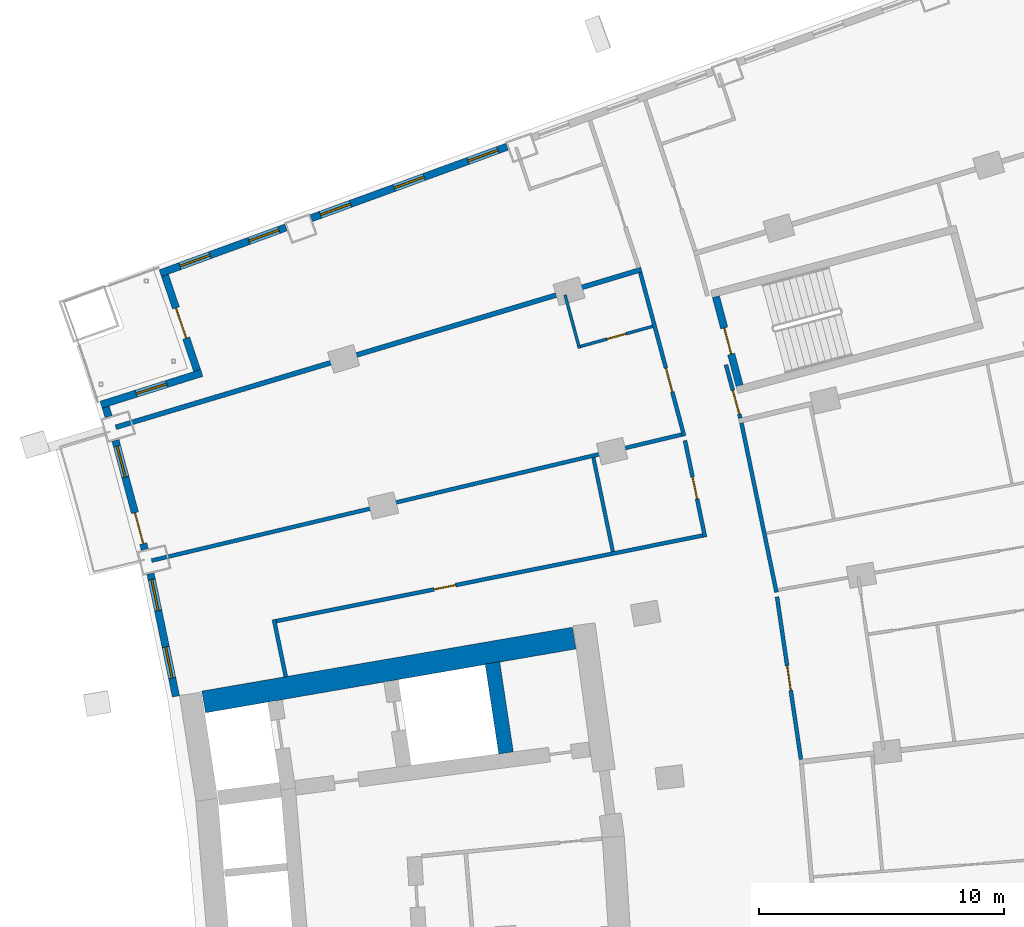
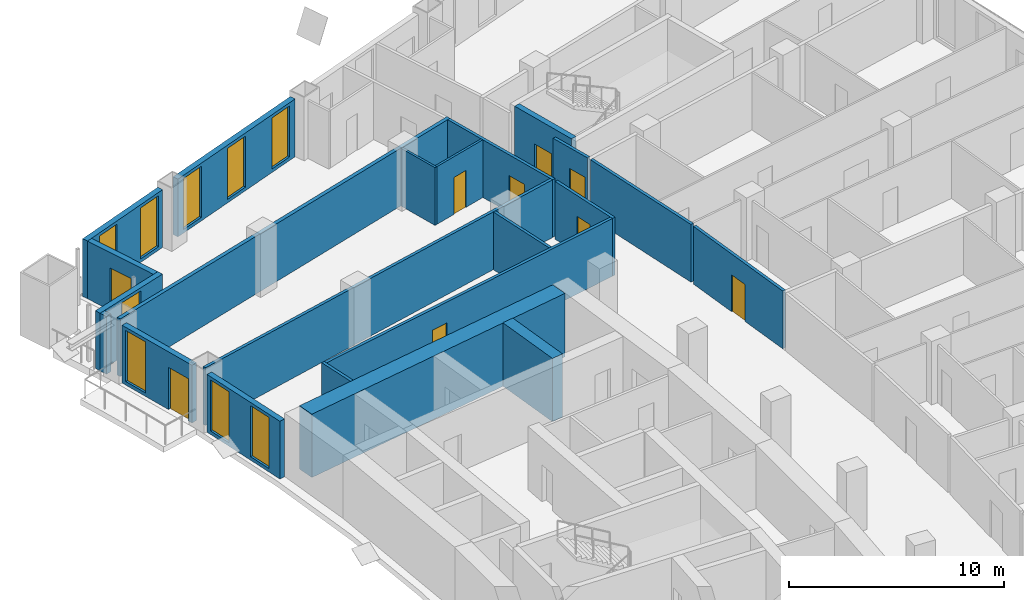
# One storey, part 19 of 25: 22 walls, 9 doors, 9 windows, 18 openings.
"""IFC4 building model written with IfcOpenShell, lengths in metres."""

from ifc_helpers import new_model, si_unit, direction, frame, frame_2d, origin, place, context, subcontext, project, spatial, rectangle, extrude, material, layer, layer_set, type_object, element, fill, save


model = new_model("IFC4")

# Units and contexts
model_context = context("Model", 3, precision=1e-05, world=origin(), true_north=direction((0.0, 1.0)))
body_context = subcontext(model_context, "Body", "Model", "MODEL_VIEW")
ifc_project = project(units=[si_unit("LENGTHUNIT", "METRE"), si_unit("AREAUNIT", "SQUARE_METRE"), si_unit("VOLUMEUNIT", "CUBIC_METRE"), si_unit("PLANEANGLEUNIT", "RADIAN"), si_unit("MASSUNIT", "GRAM", prefix="KILO")], contexts=[model_context])

# Site, building, storey
site_placement = place(None, origin())
site = spatial("IfcSite", under=ifc_project, at=site_placement, CompositionType="ELEMENT")
building_placement = place(site_placement, origin())
building = spatial("IfcBuilding", under=site, at=building_placement, Name="Alderwake Tower", CompositionType="ELEMENT")
storey_placement = place(building_placement, frame((0.0, 0.0, 60.800048828125)))
storey = spatial("IfcBuildingStorey", under=building, at=storey_placement, Name="L14", CompositionType="ELEMENT", Elevation=60.800048828125)

# Walls
ifc_material_1 = material(Name="Concrete C70/85", Category="concrete")
ifc_layer_1 = layer(ifc_material_1, 0.89990234375)
ifc_layer_set_1 = layer_set([ifc_layer_1], Name="Core wall outer 900 C70-85")
wall_type_1 = type_object("IfcWallType", Name="Core wall outer 900 C70-85", PredefinedType="SHEAR", material=ifc_layer_set_1)
wall_1_placement = place(storey_placement, frame((16.005615234375, 77.548828125, 0.0), z_axis=(0.0, 0.0, 1.0), x_axis=(0.985465815888, 0.169873852363, 0.0)))
element("IfcWall", 1, at=wall_1_placement, inside=storey, type_object=wall_type_1, Name="Core wall CW.053", PredefinedType="SHEAR", context=body_context, shape_type="SweptSolid", body=[
    extrude(rectangle(XDim=15.33056640625, YDim=0.89990234375, at=frame_2d((7.665283203125, 0.0))), origin(), (0.0, 0.0, 1.0), 3.599853515625),
])
ifc_material_2 = material(Name="Concrete C70/85", Category="concrete")
ifc_layer_2 = layer(ifc_material_2, 0.60009765625)
ifc_layer_set_2 = layer_set([ifc_layer_2], Name="Core wall spine 600 C70-85")
wall_type_2 = type_object("IfcWallType", Name="Core wall spine 600 C70-85", PredefinedType="SHEAR", material=ifc_layer_set_2)
wall_2_placement = place(storey_placement, frame((28.337646484375, 75.472412109375, 0.0), z_axis=(0.0, 0.0, 1.0), x_axis=(-0.149224787751, 0.988803298296, 0.0)))
element("IfcWall", 2, at=wall_2_placement, inside=storey, type_object=wall_type_2, Name="Core wall CW.001", PredefinedType="SHEAR", context=body_context, shape_type="SweptSolid", body=[
    extrude(rectangle(XDim=3.712158203125, YDim=0.60009765625, at=frame_2d((1.85595703125, 0.0))), origin(), (0.0, 0.0, 1.0), 3.599853515625),
])

# Wall, opening, door
ifc_material_3 = material(Name="Concrete C70/85", Category="concrete")
ifc_layer_3 = layer(ifc_material_3, 0.300048828125)
ifc_layer_set_3 = layer_set([ifc_layer_3], Name="Core wall stair enclosure 300 C70-85")
wall_type_3 = type_object("IfcWallType", Name="Core wall stair enclosure 300 C70-85", PredefinedType="SHEAR", material=ifc_layer_set_3)
wall_3_placement = place(storey_placement, frame((37.8603515625, 90.452392578125, 0.0), z_axis=(0.0, 0.0, 1.0), x_axis=(-0.257411420208, 0.966301899381, 0.0)))
wall_3 = element("IfcWall", 3, at=wall_3_placement, inside=storey, type_object=wall_type_3, Name="Core wall CW.083", PredefinedType="SHEAR", context=body_context, shape_type="SweptSolid", body=[
    extrude(rectangle(XDim=3.750244140625, YDim=0.300048828125, at=frame_2d((1.875, 0.0))), origin(), (0.0, 0.0, 1.0), 3.599853515625),
])
opening_1_placement = place(wall_3_placement, frame((1.324951171875, 0.0, 0.0)))
opening_1 = element("IfcOpeningElement", 4, at=opening_1_placement, cuts=wall_3, Name="Opening C062", PredefinedType="OPENING", context=body_context, shape_type="SweptSolid", body=[
    extrude(rectangle(XDim=1.10009765625, YDim=2.10009765625, at=frame_2d((0.550048828125, 1.050048828125))), frame((0.0, 0.159912109375, 0.0), z_axis=(0.0, -1.0, 0.0), x_axis=(1.0, 0.0, 0.0)), (0.0, 0.0, 1.0), 0.320068359375),
])
ifc_material_4 = material(Name="Steel-framed fire door leaf", Category="steel")
door_type_1 = type_object("IfcDoorType", Name="Core stair door 1100 fire-rated", OperationType="SINGLE_SWING_LEFT", PredefinedType="DOOR", material=ifc_material_4)
door_1_placement = place(opening_1_placement, origin())
door_1 = element("IfcDoor", 5, at=door_1_placement, inside=storey, type_object=door_type_1, Name="Stair door", OperationType="SINGLE_SWING_LEFT", OverallHeight=2.10009765625, OverallWidth=1.10009765625, PredefinedType="DOOR", context=body_context, shape_type="SweptSolid", body=[
    extrude(rectangle(XDim=1.10009765625, YDim=2.10009765625, at=frame_2d((0.550048828125, 1.050048828125))), frame((0.0, 0.02490234375, 0.0), z_axis=(0.0, -1.0, 0.0), x_axis=(1.0, 0.0, 0.0)), (0.0, 0.0, 1.0), 0.050048828125),
])
fill(opening_1, door_1)

# Wall
ifc_material_5 = material(Name="Gypsum board on metal studs, rated")
ifc_layer_4 = layer(ifc_material_5, 0.159912109375)
ifc_layer_set_4 = layer_set([ifc_layer_4], Name="Corridor wall 160")
wall_type_4 = type_object("IfcWallType", Name="Corridor wall 160", PredefinedType="PARTITIONING", material=ifc_layer_set_4)
wall_4_placement = place(storey_placement, frame((18.874755859375, 80.910400390625, 0.0), z_axis=(0.0, 0.0, 1.0), x_axis=(0.202312089075, -0.979321100873, 0.0)))
element("IfcWall", 6, at=wall_4_placement, inside=storey, type_object=wall_type_4, Name="WL/L14/W15", PredefinedType="PARTITIONING", context=body_context, shape_type="SweptSolid", body=[
    extrude(rectangle(XDim=2.39306640625, YDim=0.159912109375, at=frame_2d((1.196533203125, 0.0))), origin(), (0.0, 0.0, 1.0), 3.280029296875),
])

# Wall, opening, door
wall_5_placement = place(storey_placement, frame((35.600830078125, 88.392578125, 0.0), z_axis=(0.0, 0.0, 1.0), x_axis=(-0.2593979597, 0.965770520622, 0.0)))
wall_5 = element("IfcWall", 7, at=wall_5_placement, inside=storey, type_object=wall_type_4, Name="WL/L14/W20", PredefinedType="PARTITIONING", context=body_context, shape_type="SweptSolid", body=[
    extrude(rectangle(XDim=6.9072265625, YDim=0.159912109375, at=frame_2d((3.45361328125, 0.0))), origin(), (0.0, 0.0, 1.0), 3.280029296875),
])
opening_2_placement = place(wall_5_placement, frame((1.865478515625, 0.0, 0.0)))
opening_2 = element("IfcOpeningElement", 8, at=opening_2_placement, cuts=wall_5, Name="Opening R03-U11.1", PredefinedType="OPENING", context=body_context, shape_type="SweptSolid", body=[
    extrude(rectangle(XDim=1.0, YDim=2.10009765625, at=frame_2d((0.5, 1.050048828125))), frame((0.0, 0.08984375, 0.0), z_axis=(0.0, -1.0, 0.0), x_axis=(1.0, 0.0, 0.0)), (0.0, 0.0, 1.0), 0.179931640625),
])
ifc_material_6 = material(Name="Solid timber leaf in steel frame", Category="steel")
door_type_2 = type_object("IfcDoorType", Name="Flat entrance door 1000 fire-rated", OperationType="SINGLE_SWING_LEFT", PredefinedType="DOOR", material=ifc_material_6)
door_2_placement = place(opening_2_placement, origin())
door_2 = element("IfcDoor", 9, at=door_2_placement, inside=storey, type_object=door_type_2, Name="DR/L14/U11.1", OperationType="SINGLE_SWING_LEFT", OverallHeight=2.10009765625, OverallWidth=1.0, PredefinedType="DOOR", context=body_context, shape_type="SweptSolid", body=[
    extrude(rectangle(XDim=1.0, YDim=2.10009765625, at=frame_2d((0.5, 1.050048828125))), frame((0.0, 0.02490234375, 0.0), z_axis=(0.0, -1.0, 0.0), x_axis=(1.0, 0.0, 0.0)), (0.0, 0.0, 1.0), 0.050048828125),
])
fill(opening_2, door_2)

# Wall
wall_6_placement = place(storey_placement, frame((35.502197265625, 88.451416015625, 0.0), z_axis=(0.0, 0.0, 1.0), x_axis=(-0.972894913244, -0.231247676278, 0.0)))
element("IfcWall", 10, at=wall_6_placement, inside=storey, type_object=wall_type_4, Name="WL/L14/W22", PredefinedType="PARTITIONING", context=body_context, shape_type="SweptSolid", body=[
    extrude(rectangle(XDim=22.220458984375, YDim=0.159912109375, at=frame_2d((11.1103515625, 0.0))), origin(), (0.0, 0.0, 1.0), 3.280029296875),
])

# Wall, opening, door
wall_7_placement = place(storey_placement, frame((36.451416015625, 84.272705078125, 0.0), z_axis=(0.0, 0.0, 1.0), x_axis=(-0.203258199701, 0.979125172924, 0.0)))
wall_7 = element("IfcWall", 11, at=wall_7_placement, inside=storey, type_object=wall_type_4, Name="WL/L14/W23", PredefinedType="PARTITIONING", context=body_context, shape_type="SweptSolid", body=[
    extrude(rectangle(XDim=4.020263671875, YDim=0.159912109375, at=frame_2d((2.01025390625, 0.0))), origin(), (0.0, 0.0, 1.0), 3.280029296875),
])
opening_3_placement = place(wall_7_placement, frame((1.599609375, 0.0, 0.0)))
opening_3 = element("IfcOpeningElement", 12, at=opening_3_placement, cuts=wall_7, Name="Opening R03-SBN2", PredefinedType="OPENING", context=body_context, shape_type="SweptSolid", body=[
    extrude(rectangle(XDim=0.89990234375, YDim=2.10009765625, at=frame_2d((0.449951171875, 1.050048828125))), frame((0.0, 0.08984375, 0.0), z_axis=(0.0, -1.0, 0.0), x_axis=(1.0, 0.0, 0.0)), (0.0, 0.0, 1.0), 0.179931640625),
])
ifc_material_7 = material(Name="Painted timber leaf", Category="wood")
door_type_3 = type_object("IfcDoorType", Name="Room door 900", OperationType="SINGLE_SWING_LEFT", PredefinedType="DOOR", material=ifc_material_7)
door_3_placement = place(opening_3_placement, origin())
door_3 = element("IfcDoor", 13, at=door_3_placement, inside=storey, type_object=door_type_3, Name="DR/L14/SBN2", OperationType="SINGLE_SWING_LEFT", OverallHeight=2.10009765625, OverallWidth=0.89990234375, PredefinedType="DOOR", context=body_context, shape_type="SweptSolid", body=[
    extrude(rectangle(XDim=0.89990234375, YDim=2.10009765625, at=frame_2d((0.449951171875, 1.050048828125))), frame((0.0, 0.02490234375, 0.0), z_axis=(0.0, -1.0, 0.0), x_axis=(1.0, 0.0, 0.0)), (0.0, 0.0, 1.0), 0.050048828125),
])
fill(opening_3, door_3)

wall_8_placement = place(storey_placement, frame((18.969482421875, 80.84765625, 0.0), z_axis=(0.0, 0.0, 1.0), x_axis=(0.980470914622, 0.196664144112, 0.0)))
wall_8 = element("IfcWall", 14, at=wall_8_placement, inside=storey, type_object=wall_type_4, Name="WL/L14/W27", PredefinedType="PARTITIONING", context=body_context, shape_type="SweptSolid", body=[
    extrude(rectangle(XDim=17.733642578125, YDim=0.159912109375, at=frame_2d((8.86669921875, 0.0))), origin(), (0.0, 0.0, 1.0), 3.280029296875),
])
opening_4_placement = place(wall_8_placement, frame((6.556884765625, 0.0, 0.0)))
opening_4 = element("IfcOpeningElement", 15, at=opening_4_placement, cuts=wall_8, Name="Opening R03-SBN1", PredefinedType="OPENING", context=body_context, shape_type="SweptSolid", body=[
    extrude(rectangle(XDim=0.89990234375, YDim=2.10009765625, at=frame_2d((0.449951171875, 1.050048828125))), frame((0.0, 0.08984375, 0.0), z_axis=(0.0, -1.0, 0.0), x_axis=(1.0, 0.0, 0.0)), (0.0, 0.0, 1.0), 0.179931640625),
])
door_4_placement = place(opening_4_placement, origin())
door_4 = element("IfcDoor", 16, at=door_4_placement, inside=storey, type_object=door_type_3, Name="DR/L14/SBN1", OperationType="SINGLE_SWING_LEFT", OverallHeight=2.10009765625, OverallWidth=0.89990234375, PredefinedType="DOOR", context=body_context, shape_type="SweptSolid", body=[
    extrude(rectangle(XDim=0.89990234375, YDim=2.10009765625, at=frame_2d((0.449951171875, 1.050048828125))), frame((0.0, 0.02490234375, 0.0), z_axis=(0.0, -1.0, 0.0), x_axis=(1.0, 0.0, 0.0)), (0.0, 0.0, 1.0), 0.050048828125),
])
fill(opening_4, door_4)

wall_9_placement = place(storey_placement, frame((37.304931640625, 91.299072265625, 0.0), z_axis=(0.0, 0.0, 1.0), x_axis=(0.259946294884, -0.965623075416, 0.0)))
wall_9 = element("IfcWall", 17, at=wall_9_placement, inside=storey, type_object=wall_type_4, Name="WL/L14/W31", PredefinedType="PARTITIONING", context=body_context, shape_type="SweptSolid", body=[
    extrude(rectangle(XDim=2.255126953125, YDim=0.159912109375, at=frame_2d((1.12744140625, 0.0))), origin(), (0.0, 0.0, 1.0), 3.280029296875),
])
opening_5_placement = place(wall_9_placement, frame((1.083984375, 0.0, 0.0)))
opening_5 = element("IfcOpeningElement", 18, at=opening_5_placement, cuts=wall_9, Name="Opening R03-U02.1", PredefinedType="OPENING", context=body_context, shape_type="SweptSolid", body=[
    extrude(rectangle(XDim=1.0, YDim=2.10009765625, at=frame_2d((0.5, 1.050048828125))), frame((0.0, 0.08984375, 0.0), z_axis=(0.0, -1.0, 0.0), x_axis=(1.0, 0.0, 0.0)), (0.0, 0.0, 1.0), 0.179931640625),
])
door_5_placement = place(opening_5_placement, origin())
door_5 = element("IfcDoor", 19, at=door_5_placement, inside=storey, type_object=door_type_2, Name="DR/L14/U02.1", OperationType="SINGLE_SWING_LEFT", OverallHeight=2.10009765625, OverallWidth=1.0, PredefinedType="DOOR", context=body_context, shape_type="SweptSolid", body=[
    extrude(rectangle(XDim=1.0, YDim=2.10009765625, at=frame_2d((0.5, 1.050048828125))), frame((0.0, 0.02490234375, 0.0), z_axis=(0.0, -1.0, 0.0), x_axis=(1.0, 0.0, 0.0)), (0.0, 0.0, 1.0), 0.050048828125),
])
fill(opening_5, door_5)

# Wall
wall_10_placement = place(storey_placement, frame((39.3642578125, 82.022705078125, 0.0), z_axis=(0.0, 0.0, 1.0), x_axis=(-0.20240521091, 0.979301858773, 0.0)))
element("IfcWall", 20, at=wall_10_placement, inside=storey, type_object=wall_type_4, Name="WL/L14/W33", PredefinedType="PARTITIONING", context=body_context, shape_type="SweptSolid", body=[
    extrude(rectangle(XDim=7.05029296875, YDim=0.159912109375, at=frame_2d((3.525146484375, 0.0))), origin(), (0.0, 0.0, 1.0), 3.280029296875),
])

# Wall, opening, door
wall_11_placement = place(storey_placement, frame((39.38671875, 81.837158203125, 0.0), z_axis=(0.0, 0.0, 1.0), x_axis=(0.145576845789, -0.989346947218, 0.0)))
wall_11 = element("IfcWall", 21, at=wall_11_placement, inside=storey, type_object=wall_type_4, Name="WL/L14/W35", PredefinedType="PARTITIONING", context=body_context, shape_type="SweptSolid", body=[
    extrude(rectangle(XDim=6.701416015625, YDim=0.159912109375, at=frame_2d((3.3505859375, 0.0))), origin(), (0.0, 0.0, 1.0), 3.280029296875),
])
opening_6_placement = place(wall_11_placement, frame((2.850830078125, 0.0, 0.0)))
opening_6 = element("IfcOpeningElement", 22, at=opening_6_placement, cuts=wall_11, Name="Opening R03-U08.2", PredefinedType="OPENING", context=body_context, shape_type="SweptSolid", body=[
    extrude(rectangle(XDim=1.0, YDim=2.10009765625, at=frame_2d((0.5, 1.050048828125))), frame((0.0, 0.08984375, 0.0), z_axis=(0.0, -1.0, 0.0), x_axis=(1.0, 0.0, 0.0)), (0.0, 0.0, 1.0), 0.179931640625),
])
door_6_placement = place(opening_6_placement, origin())
door_6 = element("IfcDoor", 23, at=door_6_placement, inside=storey, type_object=door_type_2, Name="DR/L14/U08.2", OperationType="SINGLE_SWING_LEFT", OverallHeight=2.10009765625, OverallWidth=1.0, PredefinedType="DOOR", context=body_context, shape_type="SweptSolid", body=[
    extrude(rectangle(XDim=1.0, YDim=2.10009765625, at=frame_2d((0.5, 1.050048828125))), frame((0.0, 0.02490234375, 0.0), z_axis=(0.0, -1.0, 0.0), x_axis=(1.0, 0.0, 0.0)), (0.0, 0.0, 1.0), 0.050048828125),
])
fill(opening_6, door_6)

# Wall
ifc_material_8 = material(Name="Precast concrete C50/60 spandrel panel", Category="concrete")
ifc_layer_5 = layer(ifc_material_8, 0.300048828125)
ifc_layer_set_5 = layer_set([ifc_layer_5], Name="External wall EW1 Precast concrete C50/60 spandrel")
wall_type_5 = type_object("IfcWallType", Name="External wall EW1 Precast concrete C50/60 spandrel", PredefinedType="SOLIDWALL", material=ifc_layer_set_5)
wall_12_placement = place(storey_placement, frame((12.01416015625, 89.5703125, 0.0), z_axis=(0.0, 0.0, 1.0), x_axis=(0.29468230117, -0.955595281161, 0.0)))
element("IfcWall", 24, at=wall_12_placement, inside=storey, type_object=wall_type_5, Name="External wall 32", PredefinedType="SOLIDWALL", context=body_context, shape_type="SweptSolid", body=[
    extrude(rectangle(XDim=0.402587890625, YDim=0.300048828125, at=frame_2d((0.201171875, 0.0))), origin(), (0.0, 0.0, 1.0), 3.280029296875),
])

# Wall, openings, door, window
wall_13_placement = place(storey_placement, frame((12.4130859375, 88.212890625, 0.0), z_axis=(0.0, 0.0, 1.0), x_axis=(0.259495671332, -0.965744270788, 0.0)))
wall_13 = element("IfcWall", 25, at=wall_13_placement, inside=storey, type_object=wall_type_5, Name="External wall 33", PredefinedType="SOLIDWALL", context=body_context, shape_type="SweptSolid", body=[
    extrude(rectangle(XDim=4.599609375, YDim=0.300048828125, at=frame_2d((2.2998046875, 0.0))), origin(), (0.0, 0.0, 1.0), 3.280029296875),
])
opening_7_placement = place(wall_13_placement, frame((0.2412109375, 0.0, 0.199951171875)))
opening_7 = element("IfcOpeningElement", 26, at=opening_7_placement, cuts=wall_13, Name="Opening W1", PredefinedType="OPENING", context=body_context, shape_type="SweptSolid", body=[
    extrude(rectangle(XDim=1.300048828125, YDim=2.89990234375, at=frame_2d((0.64990234375, 1.449951171875))), frame((0.0, 0.159912109375, 0.0), z_axis=(0.0, -1.0, 0.0), x_axis=(1.0, 0.0, 0.0)), (0.0, 0.0, 1.0), 0.320068359375),
])
opening_8_placement = place(wall_13_placement, frame((3.058349609375, 0.0, 0.0)))
opening_8 = element("IfcOpeningElement", 27, at=opening_8_placement, cuts=wall_13, Name="Opening D14", PredefinedType="OPENING", context=body_context, shape_type="SweptSolid", body=[
    extrude(rectangle(XDim=1.300048828125, YDim=2.39990234375, at=frame_2d((0.64990234375, 1.199951171875))), frame((0.0, 0.159912109375, 0.0), z_axis=(0.0, -1.0, 0.0), x_axis=(1.0, 0.0, 0.0)), (0.0, 0.0, 1.0), 0.320068359375),
])
ifc_material_9 = material(Name="Bronze tinted glass in aluminium frame", Category="aluminium")
door_type_4 = type_object("IfcDoorType", Name="Balcony door BD sliding", OperationType="SLIDING_TO_LEFT", PredefinedType="DOOR", material=ifc_material_9)
door_7_placement = place(opening_8_placement, origin())
door_7 = element("IfcDoor", 28, at=door_7_placement, inside=storey, type_object=door_type_4, Name="Door D14", OperationType="SLIDING_TO_LEFT", OverallHeight=2.39990234375, OverallWidth=1.300048828125, PredefinedType="DOOR", context=body_context, shape_type="SweptSolid", body=[
    extrude(rectangle(XDim=1.300048828125, YDim=2.39990234375, at=frame_2d((0.64990234375, 1.199951171875))), frame((0.0, 0.02490234375, 0.0), z_axis=(0.0, -1.0, 0.0), x_axis=(1.0, 0.0, 0.0)), (0.0, 0.0, 1.0), 0.050048828125),
])
fill(opening_8, door_7)
ifc_material_10 = material(Name="Bronze tinted glass in aluminium frame", Category="aluminium")
window_type = type_object("IfcWindowType", Name="Window W1 tall fixed and vent", PartitioningType="DOUBLE_PANEL_VERTICAL", PredefinedType="WINDOW", material=ifc_material_10)
window_1_placement = place(opening_7_placement, origin())
window_1 = element("IfcWindow", 29, at=window_1_placement, inside=storey, type_object=window_type, Name="Window W1 tall fixed and vent", OverallHeight=2.89990234375, OverallWidth=1.300048828125, PartitioningType="DOUBLE_PANEL_VERTICAL", PredefinedType="WINDOW", context=body_context, shape_type="SweptSolid", body=[
    extrude(rectangle(XDim=1.300048828125, YDim=2.89990234375, at=frame_2d((0.64990234375, 1.449951171875))), frame((0.0, 0.030029296875, 0.0), z_axis=(0.0, -1.0, 0.0), x_axis=(1.0, 0.0, 0.0)), (0.0, 0.0, 1.0), 0.06005859375),
])
fill(opening_7, window_1)

# Wall, openings, windows
wall_14_placement = place(storey_placement, frame((13.842529296875, 82.77880859375, 0.0), z_axis=(0.0, 0.0, 1.0), x_axis=(0.202738354746, -0.979232944459, 0.0)))
wall_14 = element("IfcWall", 30, at=wall_14_placement, inside=storey, type_object=wall_type_5, Name="External wall 34", PredefinedType="SOLIDWALL", context=body_context, shape_type="SweptSolid", body=[
    extrude(rectangle(XDim=5.1083984375, YDim=0.300048828125, at=frame_2d((2.55419921875, 0.0))), origin(), (0.0, 0.0, 1.0), 3.280029296875),
])
opening_9_placement = place(wall_14_placement, frame((0.239013671875, 0.0, 0.199951171875)))
opening_9 = element("IfcOpeningElement", 31, at=opening_9_placement, cuts=wall_14, Name="Opening W1", PredefinedType="OPENING", context=body_context, shape_type="SweptSolid", body=[
    extrude(rectangle(XDim=1.300048828125, YDim=2.89990234375, at=frame_2d((0.64990234375, 1.449951171875))), frame((0.0, 0.159912109375, 0.0), z_axis=(0.0, -1.0, 0.0), x_axis=(1.0, 0.0, 0.0)), (0.0, 0.0, 1.0), 0.320068359375),
])
opening_10_placement = place(wall_14_placement, frame((3.0517578125, 0.0, 0.199951171875)))
opening_10 = element("IfcOpeningElement", 32, at=opening_10_placement, cuts=wall_14, Name="Opening W1", PredefinedType="OPENING", context=body_context, shape_type="SweptSolid", body=[
    extrude(rectangle(XDim=1.300048828125, YDim=2.89990234375, at=frame_2d((0.64990234375, 1.449951171875))), frame((0.0, 0.159912109375, 0.0), z_axis=(0.0, -1.0, 0.0), x_axis=(1.0, 0.0, 0.0)), (0.0, 0.0, 1.0), 0.320068359375),
])
window_2_placement = place(opening_9_placement, origin())
window_2 = element("IfcWindow", 33, at=window_2_placement, inside=storey, type_object=window_type, Name="Window W1 tall fixed and vent", OverallHeight=2.89990234375, OverallWidth=1.300048828125, PartitioningType="DOUBLE_PANEL_VERTICAL", PredefinedType="WINDOW", context=body_context, shape_type="SweptSolid", body=[
    extrude(rectangle(XDim=1.300048828125, YDim=2.89990234375, at=frame_2d((0.64990234375, 1.449951171875))), frame((0.0, 0.030029296875, 0.0), z_axis=(0.0, -1.0, 0.0), x_axis=(1.0, 0.0, 0.0)), (0.0, 0.0, 1.0), 0.06005859375),
])
fill(opening_9, window_2)
window_3_placement = place(opening_10_placement, origin())
window_3 = element("IfcWindow", 34, at=window_3_placement, inside=storey, type_object=window_type, Name="Window W1 tall fixed and vent", OverallHeight=2.89990234375, OverallWidth=1.300048828125, PartitioningType="DOUBLE_PANEL_VERTICAL", PredefinedType="WINDOW", context=body_context, shape_type="SweptSolid", body=[
    extrude(rectangle(XDim=1.300048828125, YDim=2.89990234375, at=frame_2d((0.64990234375, 1.449951171875))), frame((0.0, 0.030029296875, 0.0), z_axis=(0.0, -1.0, 0.0), x_axis=(1.0, 0.0, 0.0)), (0.0, 0.0, 1.0), 0.06005859375),
])
fill(opening_10, window_3)

ifc_material_11 = material(Name="Bronze metal cladding on lightweight framing")
ifc_layer_6 = layer(ifc_material_11, 0.300048828125)
ifc_layer_set_6 = layer_set([ifc_layer_6], Name="External wall EW2 bronze metal cladding")
wall_type_6 = type_object("IfcWallType", Name="External wall EW2 bronze metal cladding", PredefinedType="SOLIDWALL", material=ifc_layer_set_6)
wall_15_placement = place(storey_placement, frame((28.37890625, 100.188720703125, 0.0), z_axis=(0.0, 0.0, 1.0), x_axis=(-0.939379066762, -0.342880400328, 0.0)))
wall_15 = element("IfcWall", 35, at=wall_15_placement, inside=storey, type_object=wall_type_6, Name="External wall 28", PredefinedType="SOLIDWALL", context=body_context, shape_type="SweptSolid", body=[
    extrude(rectangle(XDim=8.4951171875, YDim=0.300048828125, at=frame_2d((4.24755859375, 0.0))), origin(), (0.0, 0.0, 1.0), 3.280029296875),
])
opening_11_placement = place(wall_15_placement, frame((0.397705078125, 0.0, 0.199951171875)))
opening_11 = element("IfcOpeningElement", 36, at=opening_11_placement, cuts=wall_15, Name="Opening W1", PredefinedType="OPENING", context=body_context, shape_type="SweptSolid", body=[
    extrude(rectangle(XDim=1.300048828125, YDim=2.89990234375, at=frame_2d((0.64990234375, 1.449951171875))), frame((0.0, 0.159912109375, 0.0), z_axis=(0.0, -1.0, 0.0), x_axis=(1.0, 0.0, 0.0)), (0.0, 0.0, 1.0), 0.320068359375),
])
opening_12_placement = place(wall_15_placement, frame((3.59765625, 0.0, 0.199951171875)))
opening_12 = element("IfcOpeningElement", 37, at=opening_12_placement, cuts=wall_15, Name="Opening W1", PredefinedType="OPENING", context=body_context, shape_type="SweptSolid", body=[
    extrude(rectangle(XDim=1.300048828125, YDim=2.89990234375, at=frame_2d((0.64990234375, 1.449951171875))), frame((0.0, 0.159912109375, 0.0), z_axis=(0.0, -1.0, 0.0), x_axis=(1.0, 0.0, 0.0)), (0.0, 0.0, 1.0), 0.320068359375),
])
opening_13_placement = place(wall_15_placement, frame((6.7978515625, 0.0, 0.199951171875)))
opening_13 = element("IfcOpeningElement", 38, at=opening_13_placement, cuts=wall_15, Name="Opening W1", PredefinedType="OPENING", context=body_context, shape_type="SweptSolid", body=[
    extrude(rectangle(XDim=1.300048828125, YDim=2.89990234375, at=frame_2d((0.64990234375, 1.449951171875))), frame((0.0, 0.159912109375, 0.0), z_axis=(0.0, -1.0, 0.0), x_axis=(1.0, 0.0, 0.0)), (0.0, 0.0, 1.0), 0.320068359375),
])
window_4_placement = place(opening_11_placement, origin())
window_4 = element("IfcWindow", 39, at=window_4_placement, inside=storey, type_object=window_type, Name="Window W1 tall fixed and vent", OverallHeight=2.89990234375, OverallWidth=1.300048828125, PartitioningType="DOUBLE_PANEL_VERTICAL", PredefinedType="WINDOW", context=body_context, shape_type="SweptSolid", body=[
    extrude(rectangle(XDim=1.300048828125, YDim=2.89990234375, at=frame_2d((0.64990234375, 1.449951171875))), frame((0.0, 0.030029296875, 0.0), z_axis=(0.0, -1.0, 0.0), x_axis=(1.0, 0.0, 0.0)), (0.0, 0.0, 1.0), 0.06005859375),
])
fill(opening_11, window_4)
window_5_placement = place(opening_12_placement, origin())
window_5 = element("IfcWindow", 40, at=window_5_placement, inside=storey, type_object=window_type, Name="Window W1 tall fixed and vent", OverallHeight=2.89990234375, OverallWidth=1.300048828125, PartitioningType="DOUBLE_PANEL_VERTICAL", PredefinedType="WINDOW", context=body_context, shape_type="SweptSolid", body=[
    extrude(rectangle(XDim=1.300048828125, YDim=2.89990234375, at=frame_2d((0.64990234375, 1.449951171875))), frame((0.0, 0.030029296875, 0.0), z_axis=(0.0, -1.0, 0.0), x_axis=(1.0, 0.0, 0.0)), (0.0, 0.0, 1.0), 0.06005859375),
])
fill(opening_12, window_5)
window_6_placement = place(opening_13_placement, origin())
window_6 = element("IfcWindow", 41, at=window_6_placement, inside=storey, type_object=window_type, Name="Window W1 tall fixed and vent", OverallHeight=2.89990234375, OverallWidth=1.300048828125, PartitioningType="DOUBLE_PANEL_VERTICAL", PredefinedType="WINDOW", context=body_context, shape_type="SweptSolid", body=[
    extrude(rectangle(XDim=1.300048828125, YDim=2.89990234375, at=frame_2d((0.64990234375, 1.449951171875))), frame((0.0, 0.030029296875, 0.0), z_axis=(0.0, -1.0, 0.0), x_axis=(1.0, 0.0, 0.0)), (0.0, 0.0, 1.0), 0.06005859375),
])
fill(opening_13, window_6)

wall_16_placement = place(storey_placement, frame((19.360595703125, 96.89697265625, 0.0), z_axis=(0.0, 0.0, 1.0), x_axis=(-0.939360985368, -0.342929933321, 0.0)))
wall_16 = element("IfcWall", 42, at=wall_16_placement, inside=storey, type_object=wall_type_6, Name="External wall 29", PredefinedType="SOLIDWALL", context=body_context, shape_type="SweptSolid", body=[
    extrude(rectangle(XDim=5.448974609375, YDim=0.300048828125, at=frame_2d((2.724609375, 0.0))), origin(), (0.0, 0.0, 1.0), 3.280029296875),
])
opening_14_placement = place(wall_16_placement, frame((0.2978515625, 0.0, 0.199951171875)))
opening_14 = element("IfcOpeningElement", 43, at=opening_14_placement, cuts=wall_16, Name="Opening W1", PredefinedType="OPENING", context=body_context, shape_type="SweptSolid", body=[
    extrude(rectangle(XDim=1.300048828125, YDim=2.89990234375, at=frame_2d((0.64990234375, 1.449951171875))), frame((0.0, 0.159912109375, 0.0), z_axis=(0.0, -1.0, 0.0), x_axis=(1.0, 0.0, 0.0)), (0.0, 0.0, 1.0), 0.320068359375),
])
opening_15_placement = place(wall_16_placement, frame((3.298583984375, 0.0, 0.199951171875)))
opening_15 = element("IfcOpeningElement", 44, at=opening_15_placement, cuts=wall_16, Name="Opening W1", PredefinedType="OPENING", context=body_context, shape_type="SweptSolid", body=[
    extrude(rectangle(XDim=1.300048828125, YDim=2.89990234375, at=frame_2d((0.64990234375, 1.449951171875))), frame((0.0, 0.159912109375, 0.0), z_axis=(0.0, -1.0, 0.0), x_axis=(1.0, 0.0, 0.0)), (0.0, 0.0, 1.0), 0.320068359375),
])
window_7_placement = place(opening_14_placement, origin())
window_7 = element("IfcWindow", 45, at=window_7_placement, inside=storey, type_object=window_type, Name="Window W1 tall fixed and vent", OverallHeight=2.89990234375, OverallWidth=1.300048828125, PartitioningType="DOUBLE_PANEL_VERTICAL", PredefinedType="WINDOW", context=body_context, shape_type="SweptSolid", body=[
    extrude(rectangle(XDim=1.300048828125, YDim=2.89990234375, at=frame_2d((0.64990234375, 1.449951171875))), frame((0.0, 0.030029296875, 0.0), z_axis=(0.0, -1.0, 0.0), x_axis=(1.0, 0.0, 0.0)), (0.0, 0.0, 1.0), 0.06005859375),
])
fill(opening_14, window_7)
window_8_placement = place(opening_15_placement, origin())
window_8 = element("IfcWindow", 46, at=window_8_placement, inside=storey, type_object=window_type, Name="Window W1 tall fixed and vent", OverallHeight=2.89990234375, OverallWidth=1.300048828125, PartitioningType="DOUBLE_PANEL_VERTICAL", PredefinedType="WINDOW", context=body_context, shape_type="SweptSolid", body=[
    extrude(rectangle(XDim=1.300048828125, YDim=2.89990234375, at=frame_2d((0.64990234375, 1.449951171875))), frame((0.0, 0.030029296875, 0.0), z_axis=(0.0, -1.0, 0.0), x_axis=(1.0, 0.0, 0.0)), (0.0, 0.0, 1.0), 0.06005859375),
])
fill(opening_15, window_8)

# Wall, opening, door
wall_17_placement = place(storey_placement, frame((14.430908203125, 94.937744140625, 0.0), z_axis=(0.0, 0.0, 1.0), x_axis=(0.320379458656, -0.947289291859, 0.0)))
wall_17 = element("IfcWall", 47, at=wall_17_placement, inside=storey, type_object=wall_type_6, Name="External wall 30", PredefinedType="SOLIDWALL", context=body_context, shape_type="SweptSolid", body=[
    extrude(rectangle(XDim=4.08984375, YDim=0.300048828125, at=frame_2d((2.044921875, 0.0))), origin(), (0.0, 0.0, 1.0), 3.280029296875),
])
opening_16_placement = place(wall_17_placement, frame((1.39501953125, 0.0, 0.0)))
opening_16 = element("IfcOpeningElement", 48, at=opening_16_placement, cuts=wall_17, Name="Opening D13", PredefinedType="OPENING", context=body_context, shape_type="SweptSolid", body=[
    extrude(rectangle(XDim=1.300048828125, YDim=2.39990234375, at=frame_2d((0.64990234375, 1.199951171875))), frame((0.0, 0.159912109375, 0.0), z_axis=(0.0, -1.0, 0.0), x_axis=(1.0, 0.0, 0.0)), (0.0, 0.0, 1.0), 0.320068359375),
])
door_8_placement = place(opening_16_placement, origin())
door_8 = element("IfcDoor", 49, at=door_8_placement, inside=storey, type_object=door_type_4, Name="Door D13", OperationType="SLIDING_TO_LEFT", OverallHeight=2.39990234375, OverallWidth=1.300048828125, PredefinedType="DOOR", context=body_context, shape_type="SweptSolid", body=[
    extrude(rectangle(XDim=1.300048828125, YDim=2.39990234375, at=frame_2d((0.64990234375, 1.199951171875))), frame((0.0, 0.02490234375, 0.0), z_axis=(0.0, -1.0, 0.0), x_axis=(1.0, 0.0, 0.0)), (0.0, 0.0, 1.0), 0.050048828125),
])
fill(opening_16, door_8)

# Wall, opening, window
wall_18_placement = place(storey_placement, frame((15.932373046875, 90.966552734375, 0.0), z_axis=(0.0, 0.0, 1.0), x_axis=(-0.953473772386, -0.301475978103, 0.0)))
wall_18 = element("IfcWall", 50, at=wall_18_placement, inside=storey, type_object=wall_type_6, Name="External wall 31", PredefinedType="SOLIDWALL", context=body_context, shape_type="SweptSolid", body=[
    extrude(rectangle(XDim=4.305908203125, YDim=0.300048828125, at=frame_2d((2.15283203125, 0.0))), origin(), (0.0, 0.0, 1.0), 3.280029296875),
])
opening_17_placement = place(wall_18_placement, frame((1.5029296875, 0.0, 0.199951171875)))
opening_17 = element("IfcOpeningElement", 51, at=opening_17_placement, cuts=wall_18, Name="Opening W1", PredefinedType="OPENING", context=body_context, shape_type="SweptSolid", body=[
    extrude(rectangle(XDim=1.300048828125, YDim=2.89990234375, at=frame_2d((0.64990234375, 1.449951171875))), frame((0.0, 0.159912109375, 0.0), z_axis=(0.0, -1.0, 0.0), x_axis=(1.0, 0.0, 0.0)), (0.0, 0.0, 1.0), 0.320068359375),
])
window_9_placement = place(opening_17_placement, origin())
window_9 = element("IfcWindow", 52, at=window_9_placement, inside=storey, type_object=window_type, Name="Window W1 tall fixed and vent", OverallHeight=2.89990234375, OverallWidth=1.300048828125, PartitioningType="DOUBLE_PANEL_VERTICAL", PredefinedType="WINDOW", context=body_context, shape_type="SweptSolid", body=[
    extrude(rectangle(XDim=1.300048828125, YDim=2.89990234375, at=frame_2d((0.64990234375, 1.449951171875))), frame((0.0, 0.030029296875, 0.0), z_axis=(0.0, -1.0, 0.0), x_axis=(1.0, 0.0, 0.0)), (0.0, 0.0, 1.0), 0.06005859375),
])
fill(opening_17, window_9)

# Walls
ifc_material_12 = material(Name="Dense block masonry wall", Category="masonry")
ifc_layer_7 = layer(ifc_material_12, 0.199951171875)
ifc_layer_set_7 = layer_set([ifc_layer_7], Name="Party wall 200")
wall_type_7 = type_object("IfcWallType", Name="Party wall 200", PredefinedType="SOLIDWALL", material=ifc_layer_set_7)
wall_19_placement = place(storey_placement, frame((33.859619140625, 95.18310546875, 0.0), z_axis=(0.0, 0.0, 1.0), x_axis=(-0.957787847597, -0.287475979859, 0.0)))
element("IfcWall", 53, at=wall_19_placement, inside=storey, type_object=wall_type_7, Name="WL/L14/W02", PredefinedType="SOLIDWALL", context=body_context, shape_type="SweptSolid", body=[
    extrude(rectangle(XDim=22.38134765625, YDim=0.199951171875, at=frame_2d((11.190673828125, 0.0))), origin(), (0.0, 0.0, 1.0), 3.280029296875),
])
ifc_material_13 = material(Name="Gypsum shaft wall system, rated")
ifc_layer_8 = layer(ifc_material_13, 0.14990234375)
ifc_layer_set_8 = layer_set([ifc_layer_8], Name="Riser and shaft wall 150")
wall_type_8 = type_object("IfcWallType", Name="Riser and shaft wall 150", PredefinedType="PARTITIONING", material=ifc_layer_set_8)
wall_20_placement = place(storey_placement, frame((32.69287109375, 83.682373046875, 0.0), z_axis=(0.0, 0.0, 1.0), x_axis=(-0.20266545775, 0.979248034073, 0.0)))
element("IfcWall", 54, at=wall_20_placement, inside=storey, type_object=wall_type_8, Name="WL/L14/W10", PredefinedType="PARTITIONING", context=body_context, shape_type="SweptSolid", body=[
    extrude(rectangle(XDim=3.911376953125, YDim=0.14990234375, at=frame_2d((1.95556640625, 0.0))), origin(), (0.0, 0.0, 1.0), 3.280029296875),
])
ifc_material_14 = material(Name="Moisture resistant gypsum board on metal studs")
ifc_layer_9 = layer(ifc_material_14, 0.1201171875)
ifc_layer_set_9 = layer_set([ifc_layer_9], Name="Wet room partition 120")
wall_type_9 = type_object("IfcWallType", Name="Wet room partition 120", PredefinedType="PARTITIONING", material=ifc_layer_set_9)
wall_21_placement = place(storey_placement, frame((30.742919921875, 94.1455078125, 0.0), z_axis=(0.0, 0.0, 1.0), x_axis=(0.260393144933, -0.965502672224, 0.0)))
element("IfcWall", 55, at=wall_21_placement, inside=storey, type_object=wall_type_9, Name="WL/L14/W44", PredefinedType="PARTITIONING", context=body_context, shape_type="SweptSolid", body=[
    extrude(rectangle(XDim=2.2529296875, YDim=0.1201171875, at=frame_2d((1.12646484375, 0.0))), origin(), (0.0, 0.0, 1.0), 3.280029296875),
])

# Wall, opening, door
wall_22_placement = place(storey_placement, frame((31.371826171875, 92.044189453125, 0.0), z_axis=(0.0, 0.0, 1.0), x_axis=(0.963351881246, 0.268240848677, 0.0)))
wall_22 = element("IfcWall", 56, at=wall_22_placement, inside=storey, type_object=wall_type_9, Name="WL/L14/W45", PredefinedType="PARTITIONING", context=body_context, shape_type="SweptSolid", body=[
    extrude(rectangle(XDim=3.05810546875, YDim=0.1201171875, at=frame_2d((1.529052734375, 0.0))), origin(), (0.0, 0.0, 1.0), 3.280029296875),
])
opening_18_placement = place(wall_22_placement, frame((1.129150390625, 0.0, 0.0)))
opening_18 = element("IfcOpeningElement", 57, at=opening_18_placement, cuts=wall_22, Name="Opening R03-U11.2", PredefinedType="OPENING", context=body_context, shape_type="SweptSolid", body=[
    extrude(rectangle(XDim=0.800048828125, YDim=2.10009765625, at=frame_2d((0.39990234375, 1.050048828125))), frame((0.0, 0.070068359375, 0.0), z_axis=(0.0, -1.0, 0.0), x_axis=(1.0, 0.0, 0.0)), (0.0, 0.0, 1.0), 0.14013671875),
])
ifc_material_15 = material(Name="Painted timber leaf", Category="wood")
door_type_5 = type_object("IfcDoorType", Name="Bathroom door 800", OperationType="SINGLE_SWING_LEFT", PredefinedType="DOOR", material=ifc_material_15)
door_9_placement = place(opening_18_placement, origin())
door_9 = element("IfcDoor", 58, at=door_9_placement, inside=storey, type_object=door_type_5, Name="DR/L14/U11.2", OperationType="SINGLE_SWING_LEFT", OverallHeight=2.10009765625, OverallWidth=0.800048828125, PredefinedType="DOOR", context=body_context, shape_type="SweptSolid", body=[
    extrude(rectangle(XDim=0.800048828125, YDim=2.10009765625, at=frame_2d((0.39990234375, 1.050048828125))), frame((0.0, 0.02490234375, 0.0), z_axis=(0.0, -1.0, 0.0), x_axis=(1.0, 0.0, 0.0)), (0.0, 0.0, 1.0), 0.050048828125),
])
fill(opening_18, door_9)

save(model, "model.ifc")
